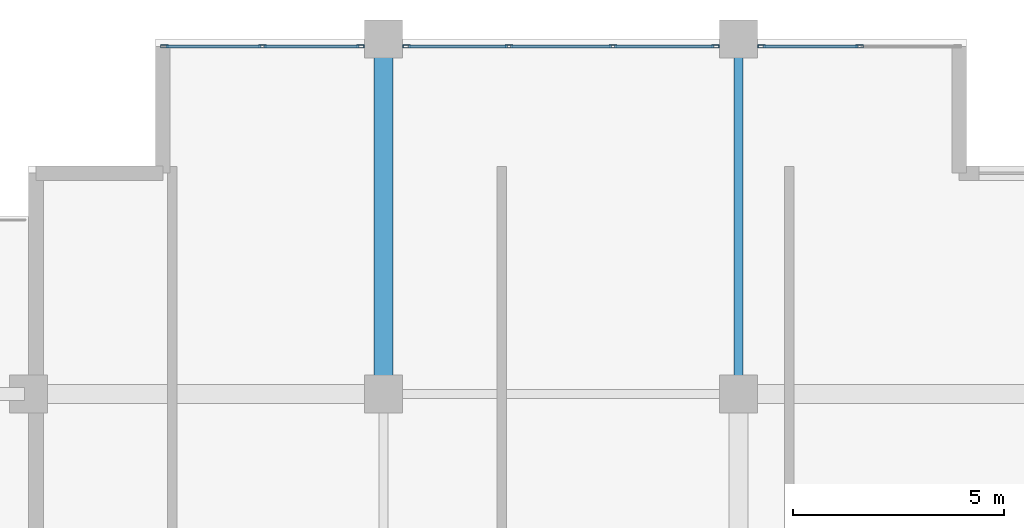
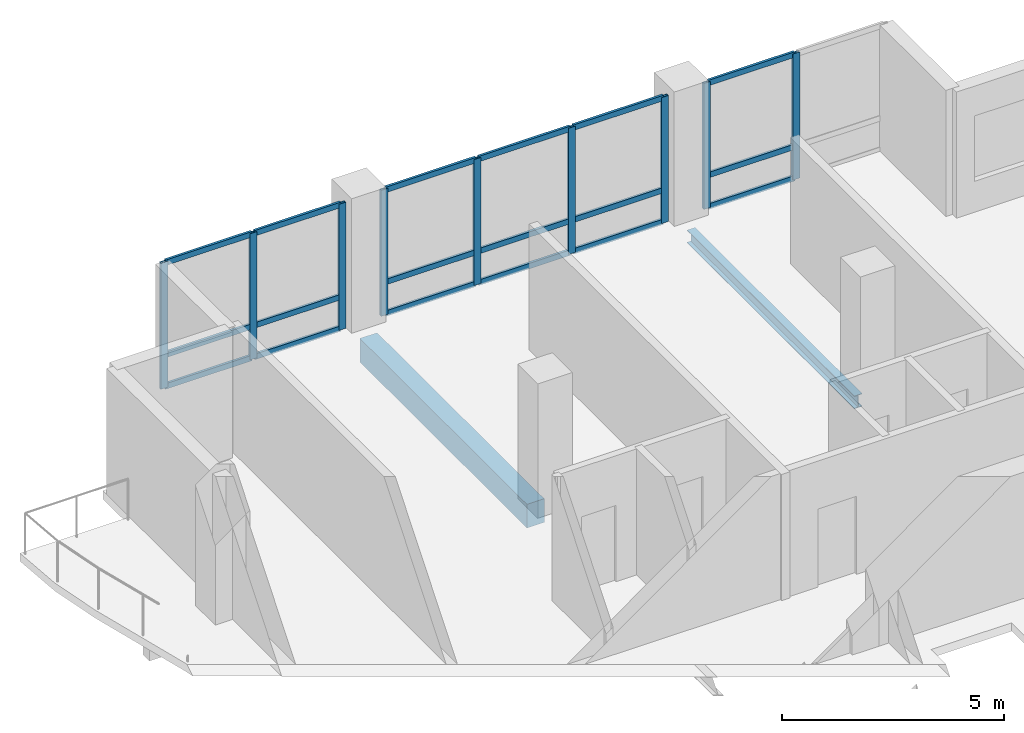
# One storey, part 3 of 15: 27 members, 2 beams, 3 elements without a shape of their own.
"""IFC4 building model written with IfcOpenShell, lengths in metres."""

from ifc_helpers import new_model, si_unit, direction, frame, origin, origin_2d, place, context, subcontext, project, spatial, rectangle, hollow_rectangle, i_section, extrude, material, layer, layer_set, material_profile, profile_set, type_object, element, aggregate, save


model = new_model("IFC4")

# Units and contexts
model_context = context("Model", 3, precision=1e-05, world=origin(), true_north=direction((0.0, 1.0)))
body_context = subcontext(model_context, "Body", "Model", "MODEL_VIEW")
ifc_project = project(units=[si_unit("LENGTHUNIT", "METRE"), si_unit("AREAUNIT", "SQUARE_METRE"), si_unit("VOLUMEUNIT", "CUBIC_METRE"), si_unit("PLANEANGLEUNIT", "RADIAN"), si_unit("MASSUNIT", "GRAM", prefix="KILO")], contexts=[model_context])

# Site, building, storey
site_placement = place(None, origin())
site = spatial("IfcSite", under=ifc_project, at=site_placement, CompositionType="ELEMENT")
building_placement = place(site_placement, origin())
building = spatial("IfcBuilding", under=site, at=building_placement, Name="Koriwani Terraces Tower", CompositionType="ELEMENT")
storey_placement = place(building_placement, frame((0.0, 0.0, 282.300048828125)))
storey = spatial("IfcBuildingStorey", under=building, at=storey_placement, Name="L70", CompositionType="ELEMENT", Elevation=282.300048828125)

# Beam
ifc_material_1 = material(Name="Concrete C50/60", Category="concrete")
ifc_material_profile_1 = material_profile(ifc_material_1, rectangle(XDim=0.449951171875, YDim=0.64990234375, at=origin_2d()), Name="Concrete C50/60", Category="LoadBearing")
ifc_profile_set_1 = profile_set([ifc_material_profile_1], Name="Concrete C50/60")
beam_type_1 = type_object("IfcBeamType", Name="BEAM_RC_GRID_450X650", PredefinedType="BEAM", material=ifc_profile_set_1)
beam_1_placement = place(storey_placement, frame((16.800048828125, 67.6298828125, -0.554931640625), z_axis=(0.0, 1.0, 0.0), x_axis=(-1.0, 0.0, 0.0)))
element("IfcBeam", 1, at=beam_1_placement, inside=storey, type_object=beam_type_1, Name="L70 Grid Beam 3 (67.2-75.6m)", PredefinedType="BEAM", context=body_context, shape_type="SweptSolid", body=[
    extrude(rectangle(XDim=0.449951171875, YDim=0.64990234375, at=origin_2d()), origin(), (0.0, 0.0, 1.0), 7.5400390625),
])

# Curtain wall, members
ifc_material_2 = material(Name="Anodised Bronze Aluminium", Category="aluminium")
ifc_layer = layer(ifc_material_2, 0.169921875, Name="Anodised Bronze Aluminium")
ifc_layer_set = layer_set([ifc_layer], Name="Anodised Bronze Aluminium")
curtain_wall_type = type_object("IfcCurtainWallType", Name="CW_RES_ZONE4", PredefinedType="NOTDEFINED", material=ifc_layer_set)
curtain_wall_1_placement = place(storey_placement, origin())
curtain_wall_1 = element("IfcCurtainWall", 2, at=curtain_wall_1_placement, inside=storey, type_object=curtain_wall_type, Name="L70 Unitised Curtain Wall (N_TIP) Bay 1", PredefinedType="NOTDEFINED")
ifc_material_profile_2 = material_profile(ifc_material_2, hollow_rectangle(XDim=0.074951171875, YDim=0.179931640625, WallThickness=0.006103515625, at=origin_2d()), Name="Anodised Bronze Aluminium", Category="LoadBearing")
ifc_profile_set_2 = profile_set([ifc_material_profile_2], Name="Anodised Bronze Aluminium")
member_type_1 = type_object("IfcMemberType", Name="CW_MULLION_180X75", PredefinedType="MULLION", material=ifc_profile_set_2)
member_1_placement = place(storey_placement, frame((11.612548828125, 75.425048828125, 0.0), z_axis=(0.0, 0.0, 1.0), x_axis=(0.0, 1.0, 0.0)))
member_1 = element("IfcMember", 3, at=member_1_placement, type_object=member_type_1, Name="CW-Z4 mullion 1", PredefinedType="MULLION", context=body_context, shape_type="SweptSolid", body=[
    extrude(hollow_rectangle(XDim=0.074951171875, YDim=0.179931640625, WallThickness=0.006103515625, at=origin_2d()), origin(), (0.0, 0.0, 1.0), 3.469970703125),
])
member_2_placement = place(storey_placement, frame((13.9326171875, 75.425048828125, 0.0), z_axis=(0.0, 0.0, 1.0), x_axis=(0.0, 1.0, 0.0)))
member_2 = element("IfcMember", 4, at=member_2_placement, type_object=member_type_1, Name="CW-Z4 mullion 2", PredefinedType="MULLION", context=body_context, shape_type="SweptSolid", body=[
    extrude(hollow_rectangle(XDim=0.074951171875, YDim=0.179931640625, WallThickness=0.006103515625, at=origin_2d()), origin(), (0.0, 0.0, 1.0), 3.469970703125),
])
member_3_placement = place(storey_placement, frame((16.25244140625, 75.425048828125, 0.0), z_axis=(0.0, 0.0, 1.0), x_axis=(0.0, 1.0, 0.0)))
member_3 = element("IfcMember", 5, at=member_3_placement, type_object=member_type_1, Name="CW-Z4 mullion 3", PredefinedType="MULLION", context=body_context, shape_type="SweptSolid", body=[
    extrude(hollow_rectangle(XDim=0.074951171875, YDim=0.179931640625, WallThickness=0.006103515625, at=origin_2d()), origin(), (0.0, 0.0, 1.0), 3.469970703125),
])

curtain_wall_2_placement = place(storey_placement, origin())
curtain_wall_2 = element("IfcCurtainWall", 6, at=curtain_wall_2_placement, inside=storey, type_object=curtain_wall_type, Name="L70 Unitised Curtain Wall (N_TIP) Bay 2", PredefinedType="NOTDEFINED")
member_4_placement = place(storey_placement, frame((17.347412109375, 75.425048828125, 0.0), z_axis=(0.0, 0.0, 1.0), x_axis=(0.0, 1.0, 0.0)))
member_4 = element("IfcMember", 7, at=member_4_placement, type_object=member_type_1, Name="CW-Z4 mullion 1", PredefinedType="MULLION", context=body_context, shape_type="SweptSolid", body=[
    extrude(hollow_rectangle(XDim=0.074951171875, YDim=0.179931640625, WallThickness=0.006103515625, at=origin_2d()), origin(), (0.0, 0.0, 1.0), 3.469970703125),
])
member_5_placement = place(storey_placement, frame((19.77001953125, 75.425048828125, 0.0), z_axis=(0.0, 0.0, 1.0), x_axis=(0.0, 1.0, 0.0)))
member_5 = element("IfcMember", 8, at=member_5_placement, type_object=member_type_1, Name="CW-Z4 mullion 2", PredefinedType="MULLION", context=body_context, shape_type="SweptSolid", body=[
    extrude(hollow_rectangle(XDim=0.074951171875, YDim=0.179931640625, WallThickness=0.006103515625, at=origin_2d()), origin(), (0.0, 0.0, 1.0), 3.469970703125),
])
member_6_placement = place(storey_placement, frame((22.22998046875, 75.425048828125, 0.0), z_axis=(0.0, 0.0, 1.0), x_axis=(0.0, 1.0, 0.0)))
member_6 = element("IfcMember", 9, at=member_6_placement, type_object=member_type_1, Name="CW-Z4 mullion 3", PredefinedType="MULLION", context=body_context, shape_type="SweptSolid", body=[
    extrude(hollow_rectangle(XDim=0.074951171875, YDim=0.179931640625, WallThickness=0.006103515625, at=origin_2d()), origin(), (0.0, 0.0, 1.0), 3.469970703125),
])
member_7_placement = place(storey_placement, frame((24.652587890625, 75.425048828125, 0.0), z_axis=(0.0, 0.0, 1.0), x_axis=(0.0, 1.0, 0.0)))
member_7 = element("IfcMember", 10, at=member_7_placement, type_object=member_type_1, Name="CW-Z4 mullion 4", PredefinedType="MULLION", context=body_context, shape_type="SweptSolid", body=[
    extrude(hollow_rectangle(XDim=0.074951171875, YDim=0.179931640625, WallThickness=0.006103515625, at=origin_2d()), origin(), (0.0, 0.0, 1.0), 3.469970703125),
])

curtain_wall_3_placement = place(storey_placement, origin())
curtain_wall_3 = element("IfcCurtainWall", 11, at=curtain_wall_3_placement, inside=storey, type_object=curtain_wall_type, Name="L70 Unitised Curtain Wall (N_TIP) Bay 3", PredefinedType="NOTDEFINED")
member_8_placement = place(storey_placement, frame((25.74755859375, 75.425048828125, 0.0), z_axis=(0.0, 0.0, 1.0), x_axis=(0.0, 1.0, 0.0)))
member_8 = element("IfcMember", 12, at=member_8_placement, type_object=member_type_1, Name="CW-Z4 mullion 1", PredefinedType="MULLION", context=body_context, shape_type="SweptSolid", body=[
    extrude(hollow_rectangle(XDim=0.074951171875, YDim=0.179931640625, WallThickness=0.006103515625, at=origin_2d()), origin(), (0.0, 0.0, 1.0), 3.469970703125),
])
member_9_placement = place(storey_placement, frame((28.0673828125, 75.425048828125, 0.0), z_axis=(0.0, 0.0, 1.0), x_axis=(0.0, 1.0, 0.0)))
member_9 = element("IfcMember", 13, at=member_9_placement, type_object=member_type_1, Name="CW-Z4 mullion 2", PredefinedType="MULLION", context=body_context, shape_type="SweptSolid", body=[
    extrude(hollow_rectangle(XDim=0.074951171875, YDim=0.179931640625, WallThickness=0.006103515625, at=origin_2d()), origin(), (0.0, 0.0, 1.0), 3.469970703125),
])

# Member
ifc_material_profile_3 = material_profile(ifc_material_2, hollow_rectangle(XDim=0.06494140625, YDim=0.14990234375, WallThickness=0.0048828125, at=origin_2d()), Name="Anodised Bronze Aluminium", Category="LoadBearing")
ifc_profile_set_3 = profile_set([ifc_material_profile_3], Name="Anodised Bronze Aluminium")
member_type_2 = type_object("IfcMemberType", Name="CW_TRANSOM_150X65", PredefinedType="USERDEFINED", material=ifc_profile_set_3)
member_10_placement = place(storey_placement, frame((11.64990234375, 75.425048828125, 0.032470703125), z_axis=(1.0, 0.0, 0.0), x_axis=(0.0, 1.0, 0.0)))
member_10 = element("IfcMember", 14, at=member_10_placement, type_object=member_type_2, Name="CW-Z4 transom 1.1", ObjectType="TRANSOM", PredefinedType="USERDEFINED", context=body_context, shape_type="SweptSolid", body=[
    extrude(hollow_rectangle(XDim=0.06494140625, YDim=0.14990234375, WallThickness=0.0048828125, at=origin_2d()), origin(), (0.0, 0.0, 1.0), 2.2451171875),
])

member_11_placement = place(storey_placement, frame((11.64990234375, 75.425048828125, 0.89990234375), z_axis=(1.0, 0.0, 0.0), x_axis=(0.0, 1.0, 0.0)))
member_11 = element("IfcMember", 15, at=member_11_placement, type_object=member_type_2, Name="CW-Z4 transom 1.2", ObjectType="TRANSOM", PredefinedType="USERDEFINED", context=body_context, shape_type="SweptSolid", body=[
    extrude(hollow_rectangle(XDim=0.06494140625, YDim=0.14990234375, WallThickness=0.0048828125, at=origin_2d()), origin(), (0.0, 0.0, 1.0), 2.2451171875),
])

member_12_placement = place(storey_placement, frame((11.64990234375, 75.425048828125, 3.4375), z_axis=(1.0, 0.0, 0.0), x_axis=(0.0, 1.0, 0.0)))
member_12 = element("IfcMember", 16, at=member_12_placement, type_object=member_type_2, Name="CW-Z4 transom 1.3", ObjectType="TRANSOM", PredefinedType="USERDEFINED", context=body_context, shape_type="SweptSolid", body=[
    extrude(hollow_rectangle(XDim=0.06494140625, YDim=0.14990234375, WallThickness=0.0048828125, at=origin_2d()), origin(), (0.0, 0.0, 1.0), 2.2451171875),
])

member_13_placement = place(storey_placement, frame((13.969970703125, 75.425048828125, 0.032470703125), z_axis=(1.0, 0.0, 0.0), x_axis=(0.0, 1.0, 0.0)))
member_13 = element("IfcMember", 17, at=member_13_placement, type_object=member_type_2, Name="CW-Z4 transom 2.1", ObjectType="TRANSOM", PredefinedType="USERDEFINED", context=body_context, shape_type="SweptSolid", body=[
    extrude(hollow_rectangle(XDim=0.06494140625, YDim=0.14990234375, WallThickness=0.0048828125, at=origin_2d()), origin(), (0.0, 0.0, 1.0), 2.2451171875),
])

member_14_placement = place(storey_placement, frame((13.969970703125, 75.425048828125, 0.89990234375), z_axis=(1.0, 0.0, 0.0), x_axis=(0.0, 1.0, 0.0)))
member_14 = element("IfcMember", 18, at=member_14_placement, type_object=member_type_2, Name="CW-Z4 transom 2.2", ObjectType="TRANSOM", PredefinedType="USERDEFINED", context=body_context, shape_type="SweptSolid", body=[
    extrude(hollow_rectangle(XDim=0.06494140625, YDim=0.14990234375, WallThickness=0.0048828125, at=origin_2d()), origin(), (0.0, 0.0, 1.0), 2.2451171875),
])

member_15_placement = place(storey_placement, frame((13.969970703125, 75.425048828125, 3.4375), z_axis=(1.0, 0.0, 0.0), x_axis=(0.0, 1.0, 0.0)))
member_15 = element("IfcMember", 19, at=member_15_placement, type_object=member_type_2, Name="CW-Z4 transom 2.3", ObjectType="TRANSOM", PredefinedType="USERDEFINED", context=body_context, shape_type="SweptSolid", body=[
    extrude(hollow_rectangle(XDim=0.06494140625, YDim=0.14990234375, WallThickness=0.0048828125, at=origin_2d()), origin(), (0.0, 0.0, 1.0), 2.2451171875),
])

aggregate(curtain_wall_1, [member_1, member_2, member_3, member_10, member_11, member_12, member_13, member_14, member_15])

member_16_placement = place(storey_placement, frame((17.385009765625, 75.425048828125, 0.032470703125), z_axis=(1.0, 0.0, 0.0), x_axis=(0.0, 1.0, 0.0)))
member_16 = element("IfcMember", 20, at=member_16_placement, type_object=member_type_2, Name="CW-Z4 transom 1.1", ObjectType="TRANSOM", PredefinedType="USERDEFINED", context=body_context, shape_type="SweptSolid", body=[
    extrude(hollow_rectangle(XDim=0.06494140625, YDim=0.14990234375, WallThickness=0.0048828125, at=origin_2d()), origin(), (0.0, 0.0, 1.0), 2.347412109375),
])

member_17_placement = place(storey_placement, frame((17.385009765625, 75.425048828125, 0.89990234375), z_axis=(1.0, 0.0, 0.0), x_axis=(0.0, 1.0, 0.0)))
member_17 = element("IfcMember", 21, at=member_17_placement, type_object=member_type_2, Name="CW-Z4 transom 1.2", ObjectType="TRANSOM", PredefinedType="USERDEFINED", context=body_context, shape_type="SweptSolid", body=[
    extrude(hollow_rectangle(XDim=0.06494140625, YDim=0.14990234375, WallThickness=0.0048828125, at=origin_2d()), origin(), (0.0, 0.0, 1.0), 2.347412109375),
])

member_18_placement = place(storey_placement, frame((17.385009765625, 75.425048828125, 3.4375), z_axis=(1.0, 0.0, 0.0), x_axis=(0.0, 1.0, 0.0)))
member_18 = element("IfcMember", 22, at=member_18_placement, type_object=member_type_2, Name="CW-Z4 transom 1.3", ObjectType="TRANSOM", PredefinedType="USERDEFINED", context=body_context, shape_type="SweptSolid", body=[
    extrude(hollow_rectangle(XDim=0.06494140625, YDim=0.14990234375, WallThickness=0.0048828125, at=origin_2d()), origin(), (0.0, 0.0, 1.0), 2.347412109375),
])

member_19_placement = place(storey_placement, frame((19.8076171875, 75.425048828125, 0.032470703125), z_axis=(1.0, 0.0, 0.0), x_axis=(0.0, 1.0, 0.0)))
member_19 = element("IfcMember", 23, at=member_19_placement, type_object=member_type_2, Name="CW-Z4 transom 2.1", ObjectType="TRANSOM", PredefinedType="USERDEFINED", context=body_context, shape_type="SweptSolid", body=[
    extrude(hollow_rectangle(XDim=0.06494140625, YDim=0.14990234375, WallThickness=0.0048828125, at=origin_2d()), origin(), (0.0, 0.0, 1.0), 2.384765625),
])

member_20_placement = place(storey_placement, frame((19.8076171875, 75.425048828125, 0.89990234375), z_axis=(1.0, 0.0, 0.0), x_axis=(0.0, 1.0, 0.0)))
member_20 = element("IfcMember", 24, at=member_20_placement, type_object=member_type_2, Name="CW-Z4 transom 2.2", ObjectType="TRANSOM", PredefinedType="USERDEFINED", context=body_context, shape_type="SweptSolid", body=[
    extrude(hollow_rectangle(XDim=0.06494140625, YDim=0.14990234375, WallThickness=0.0048828125, at=origin_2d()), origin(), (0.0, 0.0, 1.0), 2.384765625),
])

member_21_placement = place(storey_placement, frame((19.8076171875, 75.425048828125, 3.4375), z_axis=(1.0, 0.0, 0.0), x_axis=(0.0, 1.0, 0.0)))
member_21 = element("IfcMember", 25, at=member_21_placement, type_object=member_type_2, Name="CW-Z4 transom 2.3", ObjectType="TRANSOM", PredefinedType="USERDEFINED", context=body_context, shape_type="SweptSolid", body=[
    extrude(hollow_rectangle(XDim=0.06494140625, YDim=0.14990234375, WallThickness=0.0048828125, at=origin_2d()), origin(), (0.0, 0.0, 1.0), 2.384765625),
])

member_22_placement = place(storey_placement, frame((22.267578125, 75.425048828125, 0.032470703125), z_axis=(1.0, 0.0, 0.0), x_axis=(0.0, 1.0, 0.0)))
member_22 = element("IfcMember", 26, at=member_22_placement, type_object=member_type_2, Name="CW-Z4 transom 3.1", ObjectType="TRANSOM", PredefinedType="USERDEFINED", context=body_context, shape_type="SweptSolid", body=[
    extrude(hollow_rectangle(XDim=0.06494140625, YDim=0.14990234375, WallThickness=0.0048828125, at=origin_2d()), origin(), (0.0, 0.0, 1.0), 2.347412109375),
])

member_23_placement = place(storey_placement, frame((22.267578125, 75.425048828125, 0.89990234375), z_axis=(1.0, 0.0, 0.0), x_axis=(0.0, 1.0, 0.0)))
member_23 = element("IfcMember", 27, at=member_23_placement, type_object=member_type_2, Name="CW-Z4 transom 3.2", ObjectType="TRANSOM", PredefinedType="USERDEFINED", context=body_context, shape_type="SweptSolid", body=[
    extrude(hollow_rectangle(XDim=0.06494140625, YDim=0.14990234375, WallThickness=0.0048828125, at=origin_2d()), origin(), (0.0, 0.0, 1.0), 2.347412109375),
])

member_24_placement = place(storey_placement, frame((22.267578125, 75.425048828125, 3.4375), z_axis=(1.0, 0.0, 0.0), x_axis=(0.0, 1.0, 0.0)))
member_24 = element("IfcMember", 28, at=member_24_placement, type_object=member_type_2, Name="CW-Z4 transom 3.3", ObjectType="TRANSOM", PredefinedType="USERDEFINED", context=body_context, shape_type="SweptSolid", body=[
    extrude(hollow_rectangle(XDim=0.06494140625, YDim=0.14990234375, WallThickness=0.0048828125, at=origin_2d()), origin(), (0.0, 0.0, 1.0), 2.347412109375),
])

aggregate(curtain_wall_2, [member_4, member_5, member_6, member_7, member_16, member_17, member_18, member_19, member_20, member_21, member_22, member_23, member_24])

member_25_placement = place(storey_placement, frame((25.784912109375, 75.425048828125, 0.032470703125), z_axis=(1.0, 0.0, 0.0), x_axis=(0.0, 1.0, 0.0)))
member_25 = element("IfcMember", 29, at=member_25_placement, type_object=member_type_2, Name="CW-Z4 transom 1.1", ObjectType="TRANSOM", PredefinedType="USERDEFINED", context=body_context, shape_type="SweptSolid", body=[
    extrude(hollow_rectangle(XDim=0.06494140625, YDim=0.14990234375, WallThickness=0.0048828125, at=origin_2d()), origin(), (0.0, 0.0, 1.0), 2.2451171875),
])

member_26_placement = place(storey_placement, frame((25.784912109375, 75.425048828125, 0.89990234375), z_axis=(1.0, 0.0, 0.0), x_axis=(0.0, 1.0, 0.0)))
member_26 = element("IfcMember", 30, at=member_26_placement, type_object=member_type_2, Name="CW-Z4 transom 1.2", ObjectType="TRANSOM", PredefinedType="USERDEFINED", context=body_context, shape_type="SweptSolid", body=[
    extrude(hollow_rectangle(XDim=0.06494140625, YDim=0.14990234375, WallThickness=0.0048828125, at=origin_2d()), origin(), (0.0, 0.0, 1.0), 2.2451171875),
])

member_27_placement = place(storey_placement, frame((25.784912109375, 75.425048828125, 3.4375), z_axis=(1.0, 0.0, 0.0), x_axis=(0.0, 1.0, 0.0)))
member_27 = element("IfcMember", 31, at=member_27_placement, type_object=member_type_2, Name="CW-Z4 transom 1.3", ObjectType="TRANSOM", PredefinedType="USERDEFINED", context=body_context, shape_type="SweptSolid", body=[
    extrude(hollow_rectangle(XDim=0.06494140625, YDim=0.14990234375, WallThickness=0.0048828125, at=origin_2d()), origin(), (0.0, 0.0, 1.0), 2.2451171875),
])

aggregate(curtain_wall_3, [member_8, member_9, member_25, member_26, member_27])

# Beam
ifc_material_3 = material(Name="Steel ASTM A572 Grade 50", Category="steel")
ifc_material_profile_4 = material_profile(ifc_material_3, i_section(OverallWidth=0.205078125, OverallDepth=0.35400390625, WebThickness=0.009521484375, FlangeThickness=0.016845703125, at=origin_2d()), Name="Steel ASTM A572 Grade 50", Category="LoadBearing")
ifc_profile_set_4 = profile_set([ifc_material_profile_4], Name="Steel ASTM A572 Grade 50")
beam_type_2 = type_object("IfcBeamType", Name="STEEL_BEAM_W360X79", PredefinedType="JOIST", material=ifc_profile_set_4)
beam_2_placement = place(storey_placement, frame((25.199951171875, 67.6298828125, -0.406982421875), z_axis=(0.0, 1.0, 0.0), x_axis=(-1.0, 0.0, 0.0)))
element("IfcBeam", 32, at=beam_2_placement, inside=storey, type_object=beam_type_2, Name="L70 Grid Beam 4 (67.2-75.6m)", PredefinedType="JOIST", context=body_context, shape_type="SweptSolid", body=[
    extrude(i_section(OverallWidth=0.205078125, OverallDepth=0.35400390625, WebThickness=0.009521484375, FlangeThickness=0.016845703125, at=origin_2d()), origin(), (0.0, 0.0, 1.0), 7.5400390625),
])

save(model, "model.ifc")
